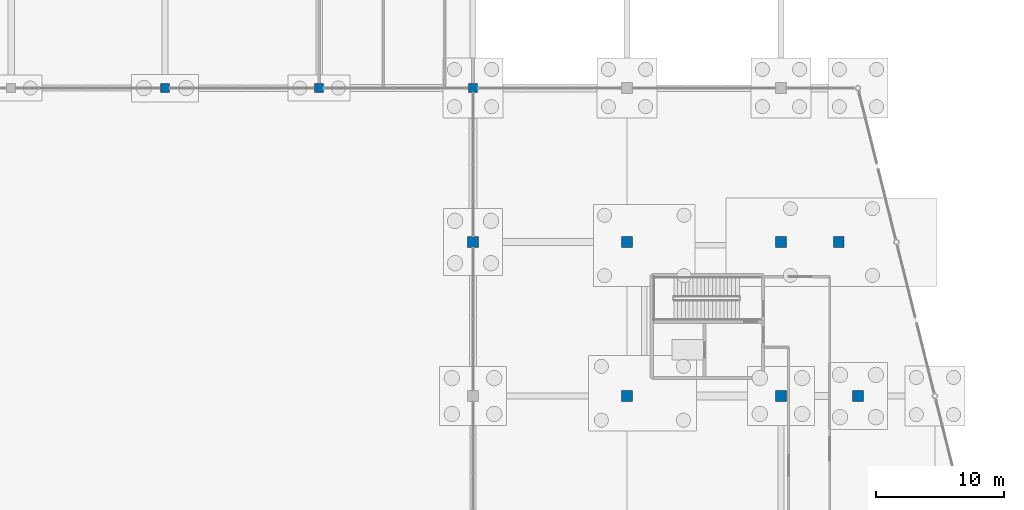
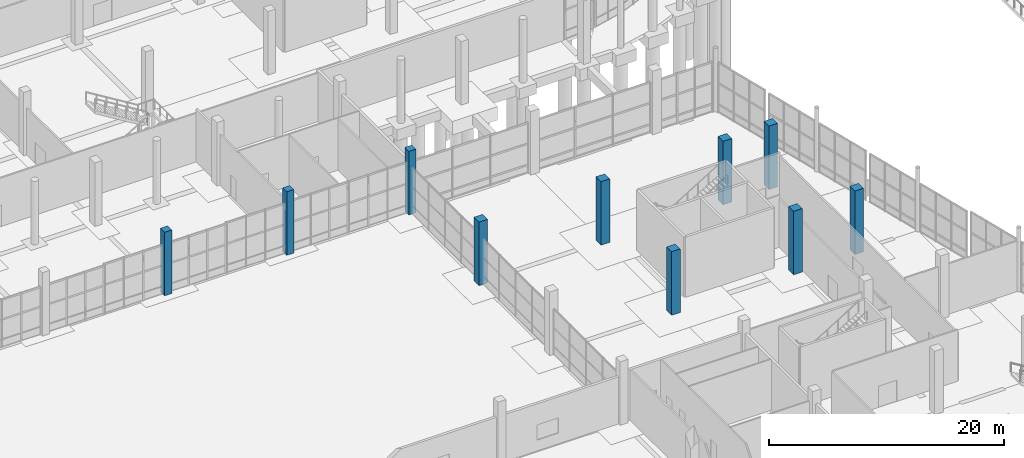
# One storey, part 35 of 117: 10 columns.
"""IFC4 building model written with IfcOpenShell, lengths in metres."""

from ifc_helpers import new_model, si_unit, direction, frame, origin, origin_2d, place, context, subcontext, project, spatial, rectangle, extrude, material, material_profile, profile_set, type_object, element, save


model = new_model("IFC4")

# Units and contexts
model_context = context("Model", 3, precision=1e-05, world=origin(), true_north=direction((0.0, 1.0)))
body_context = subcontext(model_context, "Body", "Model", "MODEL_VIEW")
ifc_project = project(units=[si_unit("LENGTHUNIT", "METRE"), si_unit("AREAUNIT", "SQUARE_METRE"), si_unit("VOLUMEUNIT", "CUBIC_METRE"), si_unit("PLANEANGLEUNIT", "RADIAN"), si_unit("MASSUNIT", "GRAM", prefix="KILO")], contexts=[model_context])

# Site, building, storey
site_placement = place(None, origin())
site = spatial("IfcSite", under=ifc_project, at=site_placement, CompositionType="ELEMENT")
building_placement = place(site_placement, origin())
building = spatial("IfcBuilding", under=site, at=building_placement, Name="Kamomehara Wholesale Market", CompositionType="ELEMENT")
storey_placement = place(building_placement, origin())
storey = spatial("IfcBuildingStorey", under=building, at=storey_placement, Name="L00", CompositionType="ELEMENT", Elevation=0.0)

# Columns
ifc_material_1 = material(Name="Precast concrete Fc45 (C40/50)", Category="concrete")
ifc_material_profile_1 = material_profile(ifc_material_1, rectangle(XDim=0.699951171875, YDim=0.699951171875, at=origin_2d()), Name="PC-COL-700x700")
ifc_profile_set_1 = profile_set([ifc_material_profile_1], Name="Precast concrete Fc45 (C40/50)")
column_type_1 = type_object("IfcColumnType", Name="COL-PC700-EXT", PredefinedType="COLUMN", material=ifc_profile_set_1)
for number, where, z_axis, x_axis, name in (
    (1, (132.0, 96.0, 0.0), (0.0, 0.0, 1.0), (1.0, 0.0, 0.0), "Column C-05E L00"),
    (2, (144.0, 96.0, 0.0), (0.0, 0.0, 1.0), (1.0, 0.0, 0.0), "Column C-05E L00"),
    (3, (156.0, 96.0, 0.0), (0.0, 0.0, 1.0), (1.0, 0.0, 0.0), "Column C-05E L00"),
):
    element("IfcColumn", number, at=place(storey_placement, frame(where, z_axis=z_axis, x_axis=x_axis)), inside=storey, type_object=column_type_1, Name=name, PredefinedType="COLUMN", context=body_context, shape_type="SweptSolid", body=[
        extrude(rectangle(XDim=0.699951171875, YDim=0.699951171875, at=origin_2d()), origin(), (0.0, 0.0, 1.0), 6.60009765625),
    ])
ifc_material_2 = material(Name="Precast concrete Fc45 (C40/50)", Category="concrete")
ifc_material_profile_2 = material_profile(ifc_material_2, rectangle(XDim=0.85009765625, YDim=0.85009765625, at=origin_2d()), Name="PC-COL-850x850")
ifc_profile_set_2 = profile_set([ifc_material_profile_2], Name="Precast concrete Fc45 (C40/50)")
column_type_2 = type_object("IfcColumnType", Name="COL-PC850", PredefinedType="COLUMN", material=ifc_profile_set_2)
for number, where, z_axis, x_axis, name in (
    (4, (180.0, 72.0, 0.0), (0.0, 0.0, 1.0), (1.0, 0.0, 0.0), "Column C-02 L00"),
    (5, (180.0, 84.0, 0.0), (0.0, 0.0, 1.0), (1.0, 0.0, 0.0), "Column C-02 L00"),
    (6, (184.5, 84.0, 0.0), (0.0, 0.0, 1.0), (1.0, 0.0, 0.0), "Column C-02 L00"),
    (7, (186.0, 72.0, 0.0), (0.0, 0.0, 1.0), (1.0, 0.0, 0.0), "Column C-02 L00"),
):
    element("IfcColumn", number, at=place(storey_placement, frame(where, z_axis=z_axis, x_axis=x_axis)), inside=storey, type_object=column_type_2, Name=name, PredefinedType="COLUMN", context=body_context, shape_type="SweptSolid", body=[
        extrude(rectangle(XDim=0.85009765625, YDim=0.85009765625, at=origin_2d()), origin(), (0.0, 0.0, 1.0), 6.60009765625),
    ])
ifc_material_3 = material(Name="Precast concrete Fc45 (C40/50)", Category="concrete")
ifc_material_profile_3 = material_profile(ifc_material_3, rectangle(XDim=0.85009765625, YDim=0.85009765625, at=origin_2d()), Name="PC-COL-850x850")
ifc_profile_set_3 = profile_set([ifc_material_profile_3], Name="Precast concrete Fc45 (C40/50)")
column_type_3 = type_object("IfcColumnType", Name="COL-PC850-EXT", PredefinedType="COLUMN", material=ifc_profile_set_3)
for number, where, z_axis, x_axis, name in (
    (8, (156.0, 84.0, 0.0), (0.0, 0.0, 1.0), (1.0, 0.0, 0.0), "Column C-02E L00"),
    (9, (168.0, 72.0, 0.0), (0.0, 0.0, 1.0), (1.0, 0.0, 0.0), "Column C-02E L00"),
    (10, (168.0, 84.0, 0.0), (0.0, 0.0, 1.0), (1.0, 0.0, 0.0), "Column C-02E L00"),
):
    element("IfcColumn", number, at=place(storey_placement, frame(where, z_axis=z_axis, x_axis=x_axis)), inside=storey, type_object=column_type_3, Name=name, PredefinedType="COLUMN", context=body_context, shape_type="SweptSolid", body=[
        extrude(rectangle(XDim=0.85009765625, YDim=0.85009765625, at=origin_2d()), origin(), (0.0, 0.0, 1.0), 6.60009765625),
    ])

save(model, "model.ifc")
